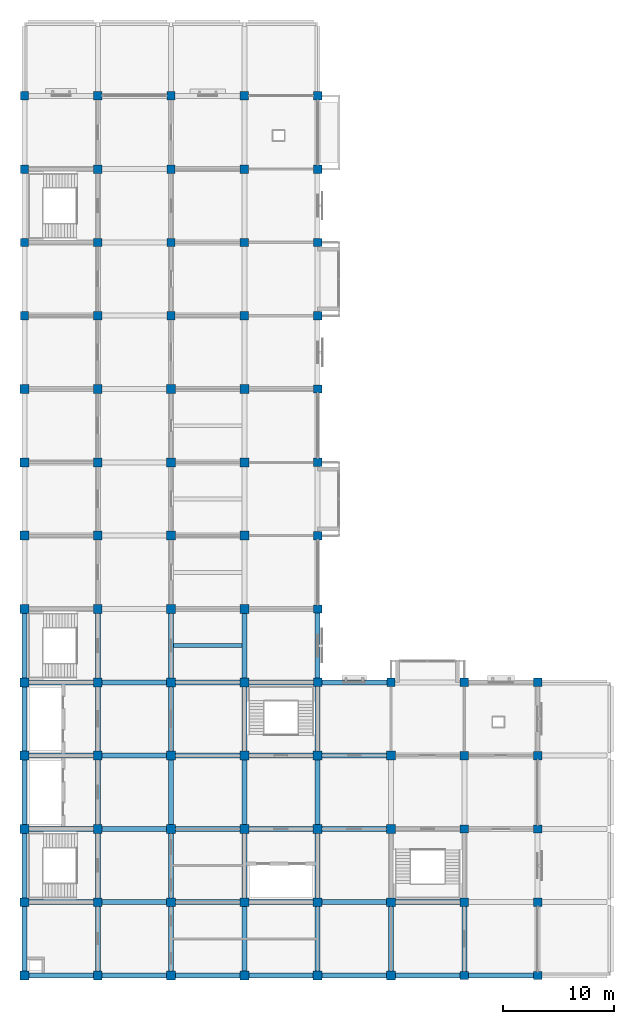
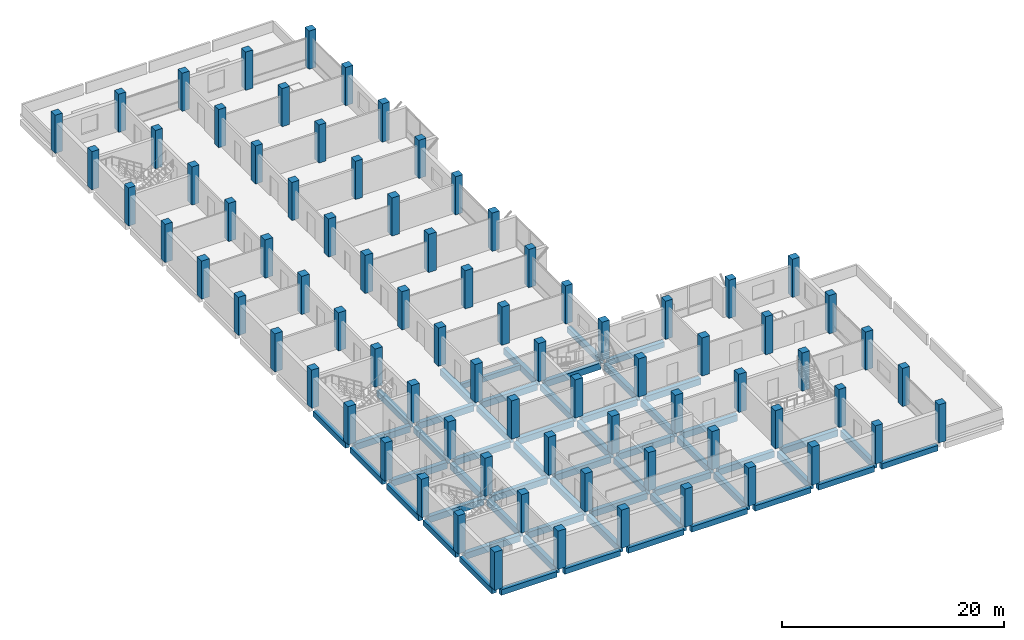
# One storey, part 1 of 15: 80 columns, 56 beams.
"""IFC4 building model written with IfcOpenShell, lengths in metres."""

from ifc_helpers import new_model, si_unit, direction, frame, origin, origin_2d, place, context, subcontext, project, spatial, rectangle, extrude, material, material_profile, profile_set, type_object, element, save


model = new_model("IFC4")

# Units and contexts
model_context = context("Model", 3, precision=1e-05, world=origin(), true_north=direction((0.0, 1.0)))
body_context = subcontext(model_context, "Body", "Model", "MODEL_VIEW")
ifc_project = project(units=[si_unit("LENGTHUNIT", "METRE"), si_unit("AREAUNIT", "SQUARE_METRE"), si_unit("VOLUMEUNIT", "CUBIC_METRE"), si_unit("PLANEANGLEUNIT", "RADIAN"), si_unit("MASSUNIT", "GRAM", prefix="KILO")], contexts=[model_context])

# Site, building, storey
site_placement = place(None, origin())
site = spatial("IfcSite", under=ifc_project, at=site_placement, CompositionType="ELEMENT")
building_placement = place(site_placement, origin())
building = spatial("IfcBuilding", under=site, at=building_placement, Name="Rusizi Kubbe Research Institute", CompositionType="ELEMENT")
storey_placement = place(building_placement, frame((0.0, 0.0, 27.0)))
storey = spatial("IfcBuildingStorey", under=building, at=storey_placement, Name="L06", CompositionType="ELEMENT", Elevation=27.0)

# Columns
ifc_material_1 = material(Name="Concrete C40/50", Category="concrete")
ifc_material_profile_1 = material_profile(ifc_material_1, rectangle(XDim=0.75, YDim=0.75, at=origin_2d()), Name="RC750x750")
ifc_profile_set_1 = profile_set([ifc_material_profile_1], Name="Concrete C40/50")
column_type_1 = type_object("IfcColumnType", Name="COL-750", PredefinedType="COLUMN", material=ifc_profile_set_1)
for number, where, z_axis, x_axis, name in (
    (1, (0.0, 59.39990234375, 0.0), (0.0, 0.0, 1.0), (1.0, 0.0, 0.0), "Column 1K L06"),
    (2, (0.0, 66.0, 0.0), (0.0, 0.0, 1.0), (1.0, 0.0, 0.0), "Column 1L L06"),
    (3, (0.0, 72.60009765625, 0.0), (0.0, 0.0, 1.0), (1.0, 0.0, 0.0), "Column 1M L06"),
    (4, (0.0, 79.199951171875, 0.0), (0.0, 0.0, 1.0), (1.0, 0.0, 0.0), "Column 1N L06"),
    (5, (6.60009765625, 59.39990234375, 0.0), (0.0, 0.0, 1.0), (1.0, 0.0, 0.0), "Column 2K L06"),
    (6, (6.60009765625, 66.0, 0.0), (0.0, 0.0, 1.0), (1.0, 0.0, 0.0), "Column 2L L06"),
    (7, (6.60009765625, 72.60009765625, 0.0), (0.0, 0.0, 1.0), (1.0, 0.0, 0.0), "Column 2M L06"),
    (8, (6.60009765625, 79.199951171875, 0.0), (0.0, 0.0, 1.0), (1.0, 0.0, 0.0), "Column 2N L06"),
    (9, (13.199951171875, 59.39990234375, 0.0), (0.0, 0.0, 1.0), (1.0, 0.0, 0.0), "Column 3K L06"),
    (10, (13.199951171875, 66.0, 0.0), (0.0, 0.0, 1.0), (1.0, 0.0, 0.0), "Column 3L L06"),
    (11, (13.199951171875, 72.60009765625, 0.0), (0.0, 0.0, 1.0), (1.0, 0.0, 0.0), "Column 3M L06"),
    (12, (13.199951171875, 79.199951171875, 0.0), (0.0, 0.0, 1.0), (1.0, 0.0, 0.0), "Column 3N L06"),
    (13, (19.800048828125, 59.39990234375, 0.0), (0.0, 0.0, 1.0), (1.0, 0.0, 0.0), "Column 4K L06"),
    (14, (19.800048828125, 66.0, 0.0), (0.0, 0.0, 1.0), (1.0, 0.0, 0.0), "Column 4L L06"),
    (15, (19.800048828125, 72.60009765625, 0.0), (0.0, 0.0, 1.0), (1.0, 0.0, 0.0), "Column 4M L06"),
    (16, (19.800048828125, 79.199951171875, 0.0), (0.0, 0.0, 1.0), (1.0, 0.0, 0.0), "Column 4N L06"),
    (17, (26.39990234375, 26.39990234375, 0.0), (0.0, 0.0, 1.0), (1.0, 0.0, 0.0), "Column 5E L06"),
    (18, (26.39990234375, 33.0, 0.0), (0.0, 0.0, 1.0), (1.0, 0.0, 0.0), "Column 5F L06"),
    (19, (26.39990234375, 39.60009765625, 0.0), (0.0, 0.0, 1.0), (1.0, 0.0, 0.0), "Column 5G L06"),
    (20, (26.39990234375, 46.199951171875, 0.0), (0.0, 0.0, 1.0), (1.0, 0.0, 0.0), "Column 5H L06"),
    (21, (26.39990234375, 52.800048828125, 0.0), (0.0, 0.0, 1.0), (1.0, 0.0, 0.0), "Column 5J L06"),
    (22, (26.39990234375, 59.39990234375, 0.0), (0.0, 0.0, 1.0), (1.0, 0.0, 0.0), "Column 5K L06"),
    (23, (26.39990234375, 66.0, 0.0), (0.0, 0.0, 1.0), (1.0, 0.0, 0.0), "Column 5L L06"),
    (24, (26.39990234375, 72.60009765625, 0.0), (0.0, 0.0, 1.0), (1.0, 0.0, 0.0), "Column 5M L06"),
    (25, (26.39990234375, 79.199951171875, 0.0), (0.0, 0.0, 1.0), (1.0, 0.0, 0.0), "Column 5N L06"),
    (26, (33.0, 26.39990234375, 0.0), (0.0, 0.0, 1.0), (1.0, 0.0, 0.0), "Column 6E L06"),
    (27, (39.60009765625, 0.0, 0.0), (0.0, 0.0, 1.0), (1.0, 0.0, 0.0), "Column 7A L06"),
    (28, (39.60009765625, 6.60009765625, 0.0), (0.0, 0.0, 1.0), (1.0, 0.0, 0.0), "Column 7B L06"),
    (29, (39.60009765625, 13.199951171875, 0.0), (0.0, 0.0, 1.0), (1.0, 0.0, 0.0), "Column 7C L06"),
    (30, (39.60009765625, 19.800048828125, 0.0), (0.0, 0.0, 1.0), (1.0, 0.0, 0.0), "Column 7D L06"),
    (31, (39.60009765625, 26.39990234375, 0.0), (0.0, 0.0, 1.0), (1.0, 0.0, 0.0), "Column 7E L06"),
    (32, (46.199951171875, 0.0, 0.0), (0.0, 0.0, 1.0), (1.0, 0.0, 0.0), "Column 8A L06"),
    (33, (46.199951171875, 6.60009765625, 0.0), (0.0, 0.0, 1.0), (1.0, 0.0, 0.0), "Column 8B L06"),
    (34, (46.199951171875, 13.199951171875, 0.0), (0.0, 0.0, 1.0), (1.0, 0.0, 0.0), "Column 8C L06"),
    (35, (46.199951171875, 19.800048828125, 0.0), (0.0, 0.0, 1.0), (1.0, 0.0, 0.0), "Column 8D L06"),
    (36, (46.199951171875, 26.39990234375, 0.0), (0.0, 0.0, 1.0), (1.0, 0.0, 0.0), "Column 8E L06"),
):
    element("IfcColumn", number, at=place(storey_placement, frame(where, z_axis=z_axis, x_axis=x_axis)), inside=storey, type_object=column_type_1, Name=name, PredefinedType="COLUMN", context=body_context, shape_type="SweptSolid", body=[
        extrude(rectangle(XDim=0.75, YDim=0.75, at=origin_2d()), origin(), (0.0, 0.0, 1.0), 4.199951171875),
    ])
ifc_material_2 = material(Name="Concrete C45/55", Category="concrete")
ifc_material_profile_2 = material_profile(ifc_material_2, rectangle(XDim=0.800048828125, YDim=0.800048828125, at=origin_2d()), Name="RC800x800")
ifc_profile_set_2 = profile_set([ifc_material_profile_2], Name="Concrete C45/55")
column_type_2 = type_object("IfcColumnType", Name="COL-800", PredefinedType="COLUMN", material=ifc_profile_set_2)
for number, where, z_axis, x_axis, name in (
    (37, (0.0, 0.0, 0.0), (0.0, 0.0, 1.0), (1.0, 0.0, 0.0), "Column 1A L06"),
    (38, (0.0, 6.60009765625, 0.0), (0.0, 0.0, 1.0), (1.0, 0.0, 0.0), "Column 1B L06"),
    (39, (0.0, 13.199951171875, 0.0), (0.0, 0.0, 1.0), (1.0, 0.0, 0.0), "Column 1C L06"),
    (40, (0.0, 19.800048828125, 0.0), (0.0, 0.0, 1.0), (1.0, 0.0, 0.0), "Column 1D L06"),
    (41, (0.0, 26.39990234375, 0.0), (0.0, 0.0, 1.0), (1.0, 0.0, 0.0), "Column 1E L06"),
    (42, (0.0, 33.0, 0.0), (0.0, 0.0, 1.0), (1.0, 0.0, 0.0), "Column 1F L06"),
    (43, (0.0, 39.60009765625, 0.0), (0.0, 0.0, 1.0), (1.0, 0.0, 0.0), "Column 1G L06"),
    (44, (0.0, 46.199951171875, 0.0), (0.0, 0.0, 1.0), (1.0, 0.0, 0.0), "Column 1H L06"),
    (45, (0.0, 52.800048828125, 0.0), (0.0, 0.0, 1.0), (1.0, 0.0, 0.0), "Column 1J L06"),
    (46, (6.60009765625, 0.0, 0.0), (0.0, 0.0, 1.0), (1.0, 0.0, 0.0), "Column 2A L06"),
    (47, (6.60009765625, 6.60009765625, 0.0), (0.0, 0.0, 1.0), (1.0, 0.0, 0.0), "Column 2B L06"),
    (48, (6.60009765625, 13.199951171875, 0.0), (0.0, 0.0, 1.0), (1.0, 0.0, 0.0), "Column 2C L06"),
    (49, (6.60009765625, 19.800048828125, 0.0), (0.0, 0.0, 1.0), (1.0, 0.0, 0.0), "Column 2D L06"),
    (50, (6.60009765625, 26.39990234375, 0.0), (0.0, 0.0, 1.0), (1.0, 0.0, 0.0), "Column 2E L06"),
    (51, (6.60009765625, 33.0, 0.0), (0.0, 0.0, 1.0), (1.0, 0.0, 0.0), "Column 2F L06"),
    (52, (6.60009765625, 39.60009765625, 0.0), (0.0, 0.0, 1.0), (1.0, 0.0, 0.0), "Column 2G L06"),
    (53, (6.60009765625, 46.199951171875, 0.0), (0.0, 0.0, 1.0), (1.0, 0.0, 0.0), "Column 2H L06"),
    (54, (6.60009765625, 52.800048828125, 0.0), (0.0, 0.0, 1.0), (1.0, 0.0, 0.0), "Column 2J L06"),
    (55, (13.199951171875, 0.0, 0.0), (0.0, 0.0, 1.0), (1.0, 0.0, 0.0), "Column 3A L06"),
    (56, (13.199951171875, 6.60009765625, 0.0), (0.0, 0.0, 1.0), (1.0, 0.0, 0.0), "Column 3B L06"),
    (57, (13.199951171875, 13.199951171875, 0.0), (0.0, 0.0, 1.0), (1.0, 0.0, 0.0), "Column 3C L06"),
    (58, (13.199951171875, 19.800048828125, 0.0), (0.0, 0.0, 1.0), (1.0, 0.0, 0.0), "Column 3D L06"),
    (59, (13.199951171875, 26.39990234375, 0.0), (0.0, 0.0, 1.0), (1.0, 0.0, 0.0), "Column 3E L06"),
    (60, (13.199951171875, 33.0, 0.0), (0.0, 0.0, 1.0), (1.0, 0.0, 0.0), "Column 3F L06"),
    (61, (13.199951171875, 39.60009765625, 0.0), (0.0, 0.0, 1.0), (1.0, 0.0, 0.0), "Column 3G L06"),
    (62, (13.199951171875, 46.199951171875, 0.0), (0.0, 0.0, 1.0), (1.0, 0.0, 0.0), "Column 3H L06"),
    (63, (13.199951171875, 52.800048828125, 0.0), (0.0, 0.0, 1.0), (1.0, 0.0, 0.0), "Column 3J L06"),
    (64, (19.800048828125, 0.0, 0.0), (0.0, 0.0, 1.0), (1.0, 0.0, 0.0), "Column 4A L06"),
    (65, (19.800048828125, 6.60009765625, 0.0), (0.0, 0.0, 1.0), (1.0, 0.0, 0.0), "Column 4B L06"),
    (66, (19.800048828125, 13.199951171875, 0.0), (0.0, 0.0, 1.0), (1.0, 0.0, 0.0), "Column 4C L06"),
    (67, (19.800048828125, 19.800048828125, 0.0), (0.0, 0.0, 1.0), (1.0, 0.0, 0.0), "Column 4D L06"),
    (68, (19.800048828125, 26.39990234375, 0.0), (0.0, 0.0, 1.0), (1.0, 0.0, 0.0), "Column 4E L06"),
    (69, (19.800048828125, 33.0, 0.0), (0.0, 0.0, 1.0), (1.0, 0.0, 0.0), "Column 4F L06"),
    (70, (19.800048828125, 39.60009765625, 0.0), (0.0, 0.0, 1.0), (1.0, 0.0, 0.0), "Column 4G L06"),
    (71, (19.800048828125, 46.199951171875, 0.0), (0.0, 0.0, 1.0), (1.0, 0.0, 0.0), "Column 4H L06"),
    (72, (19.800048828125, 52.800048828125, 0.0), (0.0, 0.0, 1.0), (1.0, 0.0, 0.0), "Column 4J L06"),
    (73, (26.39990234375, 0.0, 0.0), (0.0, 0.0, 1.0), (1.0, 0.0, 0.0), "Column 5A L06"),
    (74, (26.39990234375, 6.60009765625, 0.0), (0.0, 0.0, 1.0), (1.0, 0.0, 0.0), "Column 5B L06"),
    (75, (26.39990234375, 13.199951171875, 0.0), (0.0, 0.0, 1.0), (1.0, 0.0, 0.0), "Column 5C L06"),
    (76, (26.39990234375, 19.800048828125, 0.0), (0.0, 0.0, 1.0), (1.0, 0.0, 0.0), "Column 5D L06"),
    (77, (33.0, 0.0, 0.0), (0.0, 0.0, 1.0), (1.0, 0.0, 0.0), "Column 6A L06"),
    (78, (33.0, 6.60009765625, 0.0), (0.0, 0.0, 1.0), (1.0, 0.0, 0.0), "Column 6B L06"),
    (79, (33.0, 13.199951171875, 0.0), (0.0, 0.0, 1.0), (1.0, 0.0, 0.0), "Column 6C L06"),
    (80, (33.0, 19.800048828125, 0.0), (0.0, 0.0, 1.0), (1.0, 0.0, 0.0), "Column 6D L06"),
):
    element("IfcColumn", number, at=place(storey_placement, frame(where, z_axis=z_axis, x_axis=x_axis)), inside=storey, type_object=column_type_2, Name=name, PredefinedType="COLUMN", context=body_context, shape_type="SweptSolid", body=[
        extrude(rectangle(XDim=0.800048828125, YDim=0.800048828125, at=origin_2d()), origin(), (0.0, 0.0, 1.0), 4.199951171875),
    ])

# Beams
ifc_material_3 = material(Name="Concrete C40/50", Category="concrete")
ifc_material_profile_3 = material_profile(ifc_material_3, rectangle(XDim=0.35009765625, YDim=0.550048828125, at=origin_2d()), Name="RC350x550")
ifc_profile_set_3 = profile_set([ifc_material_profile_3], Name="Concrete C40/50")
beam_type_1 = type_object("IfcBeamType", Name="BM-RC350x550", PredefinedType="JOIST", material=ifc_profile_set_3)
beam_1_placement = place(storey_placement, frame((13.425048828125, 29.699951171875, -0.60498046875), z_axis=(1.0, 0.0, 0.0), x_axis=(0.0, 1.0, 0.0)))
element("IfcBeam", 81, at=beam_1_placement, inside=storey, type_object=beam_type_1, Name="Lab Stiffener Joist L06 (2,4)", PredefinedType="JOIST", context=body_context, shape_type="SweptSolid", body=[
    extrude(rectangle(XDim=0.35009765625, YDim=0.550048828125, at=origin_2d()), origin(), (0.0, 0.0, 1.0), 6.14990234375),
])
ifc_material_4 = material(Name="Concrete C40/50", Category="concrete")
ifc_material_profile_4 = material_profile(ifc_material_4, rectangle(XDim=0.449951171875, YDim=0.60009765625, at=origin_2d()), Name="RC450x600")
ifc_profile_set_4 = profile_set([ifc_material_profile_4], Name="Concrete C40/50")
beam_type_2 = type_object("IfcBeamType", Name="BM-RC450x600", PredefinedType="SPANDREL", material=ifc_profile_set_4)
for number, where, z_axis, x_axis, name in (
    (82, (0.39990234375, 0.0, -0.6298828125), (1.0, 0.0, 0.0), (0.0, 1.0, 0.0), "Grid Beam H L06 (0,0)"),
    (83, (7.0, 0.0, -0.6298828125), (1.0, 0.0, 0.0), (0.0, 1.0, 0.0), "Grid Beam H L06 (1,0)"),
):
    element("IfcBeam", number, at=place(storey_placement, frame(where, z_axis=z_axis, x_axis=x_axis)), inside=storey, type_object=beam_type_2, Name=name, PredefinedType="SPANDREL", context=body_context, shape_type="SweptSolid", body=[
        extrude(rectangle(XDim=0.449951171875, YDim=0.60009765625, at=origin_2d()), origin(), (0.0, 0.0, 1.0), 5.800048828125),
    ])
beam_2_placement = place(storey_placement, frame((13.60009765625, 0.0, -0.6298828125), z_axis=(1.0, 0.0, 0.0), x_axis=(0.0, 1.0, 0.0)))
element("IfcBeam", 84, at=beam_2_placement, inside=storey, type_object=beam_type_2, Name="Grid Beam H L06 (2,0)", PredefinedType="SPANDREL", context=body_context, shape_type="SweptSolid", body=[
    extrude(rectangle(XDim=0.449951171875, YDim=0.60009765625, at=origin_2d()), origin(), (0.0, 0.0, 1.0), 5.7998046875),
])
for number, where, z_axis, x_axis, name in (
    (85, (20.199951171875, 0.0, -0.6298828125), (1.0, 0.0, 0.0), (0.0, 1.0, 0.0), "Grid Beam H L06 (3,0)"),
    (86, (26.800048828125, 0.0, -0.6298828125), (1.0, 0.0, 0.0), (0.0, 1.0, 0.0), "Grid Beam H L06 (4,0)"),
):
    element("IfcBeam", number, at=place(storey_placement, frame(where, z_axis=z_axis, x_axis=x_axis)), inside=storey, type_object=beam_type_2, Name=name, PredefinedType="SPANDREL", context=body_context, shape_type="SweptSolid", body=[
        extrude(rectangle(XDim=0.449951171875, YDim=0.60009765625, at=origin_2d()), origin(), (0.0, 0.0, 1.0), 5.800048828125),
    ])
beam_3_placement = place(storey_placement, frame((26.77490234375, 26.39990234375, -0.6298828125), z_axis=(1.0, 0.0, 0.0), x_axis=(0.0, 1.0, 0.0)))
element("IfcBeam", 87, at=beam_3_placement, inside=storey, type_object=beam_type_2, Name="Grid Beam H L06 (4,4)", PredefinedType="SPANDREL", context=body_context, shape_type="SweptSolid", body=[
    extrude(rectangle(XDim=0.449951171875, YDim=0.60009765625, at=origin_2d()), origin(), (0.0, 0.0, 1.0), 5.85009765625),
])
beam_4_placement = place(storey_placement, frame((33.39990234375, 0.0, -0.6298828125), z_axis=(1.0, 0.0, 0.0), x_axis=(0.0, 1.0, 0.0)))
element("IfcBeam", 88, at=beam_4_placement, inside=storey, type_object=beam_type_2, Name="Grid Beam H L06 (5,0)", PredefinedType="SPANDREL", context=body_context, shape_type="SweptSolid", body=[
    extrude(rectangle(XDim=0.449951171875, YDim=0.60009765625, at=origin_2d()), origin(), (0.0, 0.0, 1.0), 5.8251953125),
])
beam_5_placement = place(storey_placement, frame((39.97509765625, 0.0, -0.6298828125), z_axis=(1.0, 0.0, 0.0), x_axis=(0.0, 1.0, 0.0)))
element("IfcBeam", 89, at=beam_5_placement, inside=storey, type_object=beam_type_2, Name="Grid Beam H L06 (6,0)", PredefinedType="SPANDREL", context=body_context, shape_type="SweptSolid", body=[
    extrude(rectangle(XDim=0.449951171875, YDim=0.60009765625, at=origin_2d()), origin(), (0.0, 0.0, 1.0), 5.849853515625),
])
for number, where, z_axis, x_axis, name in (
    (90, (0.0, 0.39990234375, -0.6298828125), (0.0, 1.0, 0.0), (-1.0, 0.0, 0.0), "Grid Beam V L06 (0,0)"),
    (91, (0.0, 7.0, -0.6298828125), (0.0, 1.0, 0.0), (-1.0, 0.0, 0.0), "Grid Beam V L06 (0,1)"),
):
    element("IfcBeam", number, at=place(storey_placement, frame(where, z_axis=z_axis, x_axis=x_axis)), inside=storey, type_object=beam_type_2, Name=name, PredefinedType="SPANDREL", context=body_context, shape_type="SweptSolid", body=[
        extrude(rectangle(XDim=0.449951171875, YDim=0.60009765625, at=origin_2d()), origin(), (0.0, 0.0, 1.0), 5.800048828125),
    ])
beam_6_placement = place(storey_placement, frame((0.0, 13.60009765625, -0.6298828125), z_axis=(0.0, 1.0, 0.0), x_axis=(-1.0, 0.0, 0.0)))
element("IfcBeam", 92, at=beam_6_placement, inside=storey, type_object=beam_type_2, Name="Grid Beam V L06 (0,2)", PredefinedType="SPANDREL", context=body_context, shape_type="SweptSolid", body=[
    extrude(rectangle(XDim=0.449951171875, YDim=0.60009765625, at=origin_2d()), origin(), (0.0, 0.0, 1.0), 5.7998046875),
])
for number, where, z_axis, x_axis, name in (
    (93, (0.0, 20.199951171875, -0.6298828125), (0.0, 1.0, 0.0), (-1.0, 0.0, 0.0), "Grid Beam V L06 (0,3)"),
    (94, (0.0, 26.800048828125, -0.6298828125), (0.0, 1.0, 0.0), (-1.0, 0.0, 0.0), "Grid Beam V L06 (0,4)"),
):
    element("IfcBeam", number, at=place(storey_placement, frame(where, z_axis=z_axis, x_axis=x_axis)), inside=storey, type_object=beam_type_2, Name=name, PredefinedType="SPANDREL", context=body_context, shape_type="SweptSolid", body=[
        extrude(rectangle(XDim=0.449951171875, YDim=0.60009765625, at=origin_2d()), origin(), (0.0, 0.0, 1.0), 5.800048828125),
    ])
beam_7_placement = place(storey_placement, frame((26.39990234375, 26.77490234375, -0.6298828125), z_axis=(0.0, 1.0, 0.0), x_axis=(-1.0, 0.0, 0.0)))
element("IfcBeam", 95, at=beam_7_placement, inside=storey, type_object=beam_type_2, Name="Grid Beam V L06 (4,4)", PredefinedType="SPANDREL", context=body_context, shape_type="SweptSolid", body=[
    extrude(rectangle(XDim=0.449951171875, YDim=0.60009765625, at=origin_2d()), origin(), (0.0, 0.0, 1.0), 5.85009765625),
])
ifc_material_5 = material(Name="Concrete C40/50", Category="concrete")
ifc_material_profile_5 = material_profile(ifc_material_5, rectangle(XDim=0.449951171875, YDim=0.699951171875, at=origin_2d()), Name="RC450x700B")
ifc_profile_set_5 = profile_set([ifc_material_profile_5], Name="Concrete C40/50")
beam_type_3 = type_object("IfcBeamType", Name="BM-RC450x700", PredefinedType="BEAM", material=ifc_profile_set_5)
for number, where, z_axis, x_axis, name in (
    (96, (0.39990234375, 6.60009765625, -0.679931640625), (1.0, 0.0, 0.0), (0.0, 1.0, 0.0), "Grid Beam H L06 (0,1)"),
    (97, (0.39990234375, 13.199951171875, -0.679931640625), (1.0, 0.0, 0.0), (0.0, 1.0, 0.0), "Grid Beam H L06 (0,2)"),
    (98, (0.39990234375, 19.800048828125, -0.679931640625), (1.0, 0.0, 0.0), (0.0, 1.0, 0.0), "Grid Beam H L06 (0,3)"),
    (99, (0.39990234375, 26.39990234375, -0.679931640625), (1.0, 0.0, 0.0), (0.0, 1.0, 0.0), "Grid Beam H L06 (0,4)"),
    (100, (7.0, 6.60009765625, -0.679931640625), (1.0, 0.0, 0.0), (0.0, 1.0, 0.0), "Grid Beam H L06 (1,1)"),
    (101, (7.0, 13.199951171875, -0.679931640625), (1.0, 0.0, 0.0), (0.0, 1.0, 0.0), "Grid Beam H L06 (1,2)"),
    (102, (7.0, 19.800048828125, -0.679931640625), (1.0, 0.0, 0.0), (0.0, 1.0, 0.0), "Grid Beam H L06 (1,3)"),
    (103, (7.0, 26.39990234375, -0.679931640625), (1.0, 0.0, 0.0), (0.0, 1.0, 0.0), "Grid Beam H L06 (1,4)"),
):
    element("IfcBeam", number, at=place(storey_placement, frame(where, z_axis=z_axis, x_axis=x_axis)), inside=storey, type_object=beam_type_3, Name=name, PredefinedType="BEAM", context=body_context, shape_type="SweptSolid", body=[
        extrude(rectangle(XDim=0.449951171875, YDim=0.699951171875, at=origin_2d()), origin(), (0.0, 0.0, 1.0), 5.800048828125),
    ])
for number, where, z_axis, x_axis, name in (
    (104, (13.60009765625, 6.60009765625, -0.679931640625), (1.0, 0.0, 0.0), (0.0, 1.0, 0.0), "Grid Beam H L06 (2,1)"),
    (105, (13.60009765625, 13.199951171875, -0.679931640625), (1.0, 0.0, 0.0), (0.0, 1.0, 0.0), "Grid Beam H L06 (2,2)"),
    (106, (13.60009765625, 19.800048828125, -0.679931640625), (1.0, 0.0, 0.0), (0.0, 1.0, 0.0), "Grid Beam H L06 (2,3)"),
    (107, (13.60009765625, 26.39990234375, -0.679931640625), (1.0, 0.0, 0.0), (0.0, 1.0, 0.0), "Grid Beam H L06 (2,4)"),
):
    element("IfcBeam", number, at=place(storey_placement, frame(where, z_axis=z_axis, x_axis=x_axis)), inside=storey, type_object=beam_type_3, Name=name, PredefinedType="BEAM", context=body_context, shape_type="SweptSolid", body=[
        extrude(rectangle(XDim=0.449951171875, YDim=0.699951171875, at=origin_2d()), origin(), (0.0, 0.0, 1.0), 5.7998046875),
    ])
for number, where, z_axis, x_axis, name in (
    (108, (20.199951171875, 6.60009765625, -0.679931640625), (1.0, 0.0, 0.0), (0.0, 1.0, 0.0), "Grid Beam H L06 (3,1)"),
    (109, (20.199951171875, 13.199951171875, -0.679931640625), (1.0, 0.0, 0.0), (0.0, 1.0, 0.0), "Grid Beam H L06 (3,2)"),
    (110, (20.199951171875, 19.800048828125, -0.679931640625), (1.0, 0.0, 0.0), (0.0, 1.0, 0.0), "Grid Beam H L06 (3,3)"),
):
    element("IfcBeam", number, at=place(storey_placement, frame(where, z_axis=z_axis, x_axis=x_axis)), inside=storey, type_object=beam_type_3, Name=name, PredefinedType="BEAM", context=body_context, shape_type="SweptSolid", body=[
        extrude(rectangle(XDim=0.449951171875, YDim=0.699951171875, at=origin_2d()), origin(), (0.0, 0.0, 1.0), 5.800048828125),
    ])
beam_8_placement = place(storey_placement, frame((20.199951171875, 26.39990234375, -0.679931640625), z_axis=(1.0, 0.0, 0.0), x_axis=(0.0, 1.0, 0.0)))
element("IfcBeam", 111, at=beam_8_placement, inside=storey, type_object=beam_type_3, Name="Grid Beam H L06 (3,4)", PredefinedType="BEAM", context=body_context, shape_type="SweptSolid", body=[
    extrude(rectangle(XDim=0.449951171875, YDim=0.699951171875, at=origin_2d()), origin(), (0.0, 0.0, 1.0), 5.824951171875),
])
for number, where, z_axis, x_axis, name in (
    (112, (26.800048828125, 6.60009765625, -0.679931640625), (1.0, 0.0, 0.0), (0.0, 1.0, 0.0), "Grid Beam H L06 (4,1)"),
    (113, (26.800048828125, 13.199951171875, -0.679931640625), (1.0, 0.0, 0.0), (0.0, 1.0, 0.0), "Grid Beam H L06 (4,2)"),
    (114, (26.800048828125, 19.800048828125, -0.679931640625), (1.0, 0.0, 0.0), (0.0, 1.0, 0.0), "Grid Beam H L06 (4,3)"),
):
    element("IfcBeam", number, at=place(storey_placement, frame(where, z_axis=z_axis, x_axis=x_axis)), inside=storey, type_object=beam_type_3, Name=name, PredefinedType="BEAM", context=body_context, shape_type="SweptSolid", body=[
        extrude(rectangle(XDim=0.449951171875, YDim=0.699951171875, at=origin_2d()), origin(), (0.0, 0.0, 1.0), 5.800048828125),
    ])
beam_9_placement = place(storey_placement, frame((33.39990234375, 6.60009765625, -0.679931640625), z_axis=(1.0, 0.0, 0.0), x_axis=(0.0, 1.0, 0.0)))
element("IfcBeam", 115, at=beam_9_placement, inside=storey, type_object=beam_type_3, Name="Grid Beam H L06 (5,1)", PredefinedType="BEAM", context=body_context, shape_type="SweptSolid", body=[
    extrude(rectangle(XDim=0.449951171875, YDim=0.699951171875, at=origin_2d()), origin(), (0.0, 0.0, 1.0), 5.8251953125),
])
for number, where, z_axis, x_axis, name in (
    (116, (6.60009765625, 0.39990234375, -0.679931640625), (0.0, 1.0, 0.0), (-1.0, 0.0, 0.0), "Grid Beam V L06 (1,0)"),
    (117, (6.60009765625, 7.0, -0.679931640625), (0.0, 1.0, 0.0), (-1.0, 0.0, 0.0), "Grid Beam V L06 (1,1)"),
):
    element("IfcBeam", number, at=place(storey_placement, frame(where, z_axis=z_axis, x_axis=x_axis)), inside=storey, type_object=beam_type_3, Name=name, PredefinedType="BEAM", context=body_context, shape_type="SweptSolid", body=[
        extrude(rectangle(XDim=0.449951171875, YDim=0.699951171875, at=origin_2d()), origin(), (0.0, 0.0, 1.0), 5.800048828125),
    ])
beam_10_placement = place(storey_placement, frame((6.60009765625, 13.60009765625, -0.679931640625), z_axis=(0.0, 1.0, 0.0), x_axis=(-1.0, 0.0, 0.0)))
element("IfcBeam", 118, at=beam_10_placement, inside=storey, type_object=beam_type_3, Name="Grid Beam V L06 (1,2)", PredefinedType="BEAM", context=body_context, shape_type="SweptSolid", body=[
    extrude(rectangle(XDim=0.449951171875, YDim=0.699951171875, at=origin_2d()), origin(), (0.0, 0.0, 1.0), 5.7998046875),
])
for number, where, z_axis, x_axis, name in (
    (119, (6.60009765625, 20.199951171875, -0.679931640625), (0.0, 1.0, 0.0), (-1.0, 0.0, 0.0), "Grid Beam V L06 (1,3)"),
    (120, (6.60009765625, 26.800048828125, -0.679931640625), (0.0, 1.0, 0.0), (-1.0, 0.0, 0.0), "Grid Beam V L06 (1,4)"),
    (121, (13.199951171875, 0.39990234375, -0.679931640625), (0.0, 1.0, 0.0), (-1.0, 0.0, 0.0), "Grid Beam V L06 (2,0)"),
    (122, (13.199951171875, 7.0, -0.679931640625), (0.0, 1.0, 0.0), (-1.0, 0.0, 0.0), "Grid Beam V L06 (2,1)"),
):
    element("IfcBeam", number, at=place(storey_placement, frame(where, z_axis=z_axis, x_axis=x_axis)), inside=storey, type_object=beam_type_3, Name=name, PredefinedType="BEAM", context=body_context, shape_type="SweptSolid", body=[
        extrude(rectangle(XDim=0.449951171875, YDim=0.699951171875, at=origin_2d()), origin(), (0.0, 0.0, 1.0), 5.800048828125),
    ])
beam_11_placement = place(storey_placement, frame((13.199951171875, 13.60009765625, -0.679931640625), z_axis=(0.0, 1.0, 0.0), x_axis=(-1.0, 0.0, 0.0)))
element("IfcBeam", 123, at=beam_11_placement, inside=storey, type_object=beam_type_3, Name="Grid Beam V L06 (2,2)", PredefinedType="BEAM", context=body_context, shape_type="SweptSolid", body=[
    extrude(rectangle(XDim=0.449951171875, YDim=0.699951171875, at=origin_2d()), origin(), (0.0, 0.0, 1.0), 5.7998046875),
])
for number, where, z_axis, x_axis, name in (
    (124, (13.199951171875, 20.199951171875, -0.679931640625), (0.0, 1.0, 0.0), (-1.0, 0.0, 0.0), "Grid Beam V L06 (2,3)"),
    (125, (13.199951171875, 26.800048828125, -0.679931640625), (0.0, 1.0, 0.0), (-1.0, 0.0, 0.0), "Grid Beam V L06 (2,4)"),
    (126, (19.800048828125, 0.39990234375, -0.679931640625), (0.0, 1.0, 0.0), (-1.0, 0.0, 0.0), "Grid Beam V L06 (3,0)"),
    (127, (19.800048828125, 7.0, -0.679931640625), (0.0, 1.0, 0.0), (-1.0, 0.0, 0.0), "Grid Beam V L06 (3,1)"),
):
    element("IfcBeam", number, at=place(storey_placement, frame(where, z_axis=z_axis, x_axis=x_axis)), inside=storey, type_object=beam_type_3, Name=name, PredefinedType="BEAM", context=body_context, shape_type="SweptSolid", body=[
        extrude(rectangle(XDim=0.449951171875, YDim=0.699951171875, at=origin_2d()), origin(), (0.0, 0.0, 1.0), 5.800048828125),
    ])
beam_12_placement = place(storey_placement, frame((19.800048828125, 13.60009765625, -0.679931640625), z_axis=(0.0, 1.0, 0.0), x_axis=(-1.0, 0.0, 0.0)))
element("IfcBeam", 128, at=beam_12_placement, inside=storey, type_object=beam_type_3, Name="Grid Beam V L06 (3,2)", PredefinedType="BEAM", context=body_context, shape_type="SweptSolid", body=[
    extrude(rectangle(XDim=0.449951171875, YDim=0.699951171875, at=origin_2d()), origin(), (0.0, 0.0, 1.0), 5.7998046875),
])
for number, where, z_axis, x_axis, name in (
    (129, (19.800048828125, 20.199951171875, -0.679931640625), (0.0, 1.0, 0.0), (-1.0, 0.0, 0.0), "Grid Beam V L06 (3,3)"),
    (130, (19.800048828125, 26.800048828125, -0.679931640625), (0.0, 1.0, 0.0), (-1.0, 0.0, 0.0), "Grid Beam V L06 (3,4)"),
    (131, (26.39990234375, 0.39990234375, -0.679931640625), (0.0, 1.0, 0.0), (-1.0, 0.0, 0.0), "Grid Beam V L06 (4,0)"),
    (132, (26.39990234375, 7.0, -0.679931640625), (0.0, 1.0, 0.0), (-1.0, 0.0, 0.0), "Grid Beam V L06 (4,1)"),
):
    element("IfcBeam", number, at=place(storey_placement, frame(where, z_axis=z_axis, x_axis=x_axis)), inside=storey, type_object=beam_type_3, Name=name, PredefinedType="BEAM", context=body_context, shape_type="SweptSolid", body=[
        extrude(rectangle(XDim=0.449951171875, YDim=0.699951171875, at=origin_2d()), origin(), (0.0, 0.0, 1.0), 5.800048828125),
    ])
beam_13_placement = place(storey_placement, frame((26.39990234375, 13.60009765625, -0.679931640625), z_axis=(0.0, 1.0, 0.0), x_axis=(-1.0, 0.0, 0.0)))
element("IfcBeam", 133, at=beam_13_placement, inside=storey, type_object=beam_type_3, Name="Grid Beam V L06 (4,2)", PredefinedType="BEAM", context=body_context, shape_type="SweptSolid", body=[
    extrude(rectangle(XDim=0.449951171875, YDim=0.699951171875, at=origin_2d()), origin(), (0.0, 0.0, 1.0), 5.7998046875),
])
beam_14_placement = place(storey_placement, frame((26.39990234375, 20.199951171875, -0.679931640625), z_axis=(0.0, 1.0, 0.0), x_axis=(-1.0, 0.0, 0.0)))
element("IfcBeam", 134, at=beam_14_placement, inside=storey, type_object=beam_type_3, Name="Grid Beam V L06 (4,3)", PredefinedType="BEAM", context=body_context, shape_type="SweptSolid", body=[
    extrude(rectangle(XDim=0.449951171875, YDim=0.699951171875, at=origin_2d()), origin(), (0.0, 0.0, 1.0), 5.824951171875),
])
beam_15_placement = place(storey_placement, frame((33.0, 0.39990234375, -0.679931640625), z_axis=(0.0, 1.0, 0.0), x_axis=(-1.0, 0.0, 0.0)))
element("IfcBeam", 135, at=beam_15_placement, inside=storey, type_object=beam_type_3, Name="Grid Beam V L06 (5,0)", PredefinedType="BEAM", context=body_context, shape_type="SweptSolid", body=[
    extrude(rectangle(XDim=0.449951171875, YDim=0.699951171875, at=origin_2d()), origin(), (0.0, 0.0, 1.0), 5.800048828125),
])
beam_16_placement = place(storey_placement, frame((39.60009765625, 0.375, -0.679931640625), z_axis=(0.0, 1.0, 0.0), x_axis=(-1.0, 0.0, 0.0)))
element("IfcBeam", 136, at=beam_16_placement, inside=storey, type_object=beam_type_3, Name="Grid Beam V L06 (6,0)", PredefinedType="BEAM", context=body_context, shape_type="SweptSolid", body=[
    extrude(rectangle(XDim=0.449951171875, YDim=0.699951171875, at=origin_2d()), origin(), (0.0, 0.0, 1.0), 5.85009765625),
])

save(model, "model.ifc")
